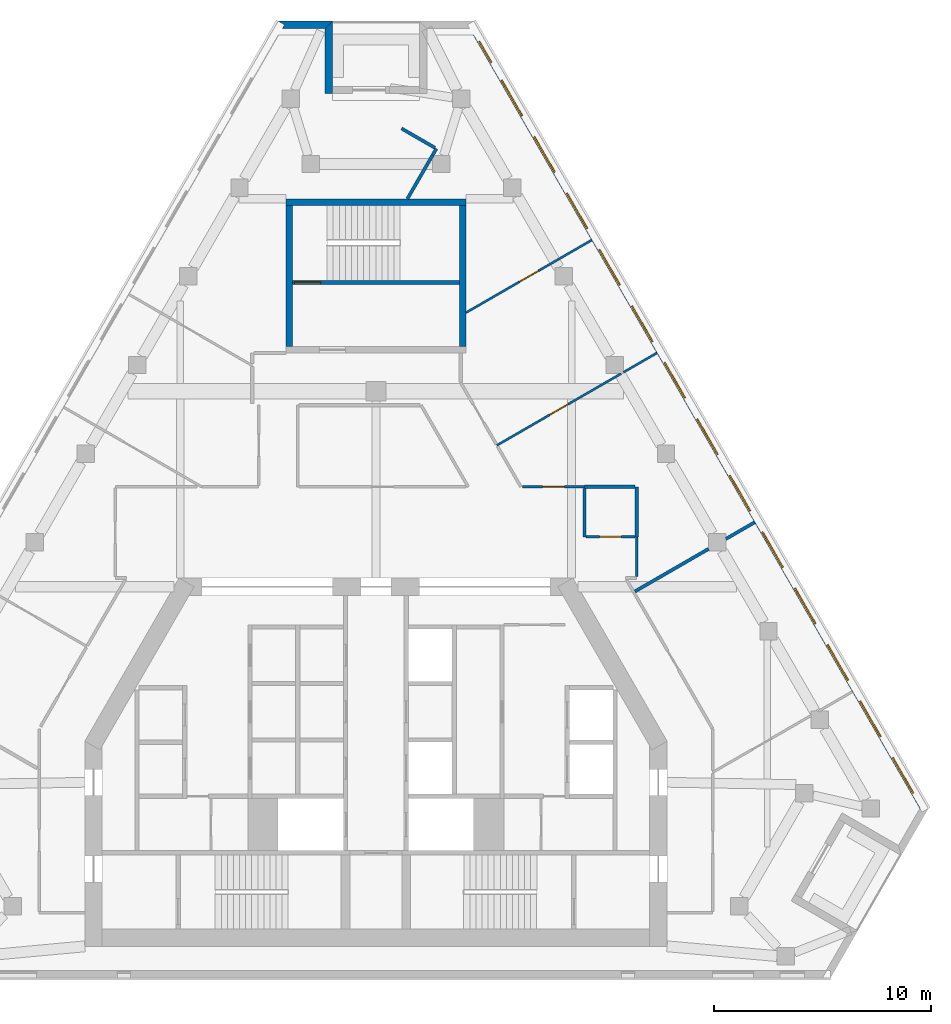
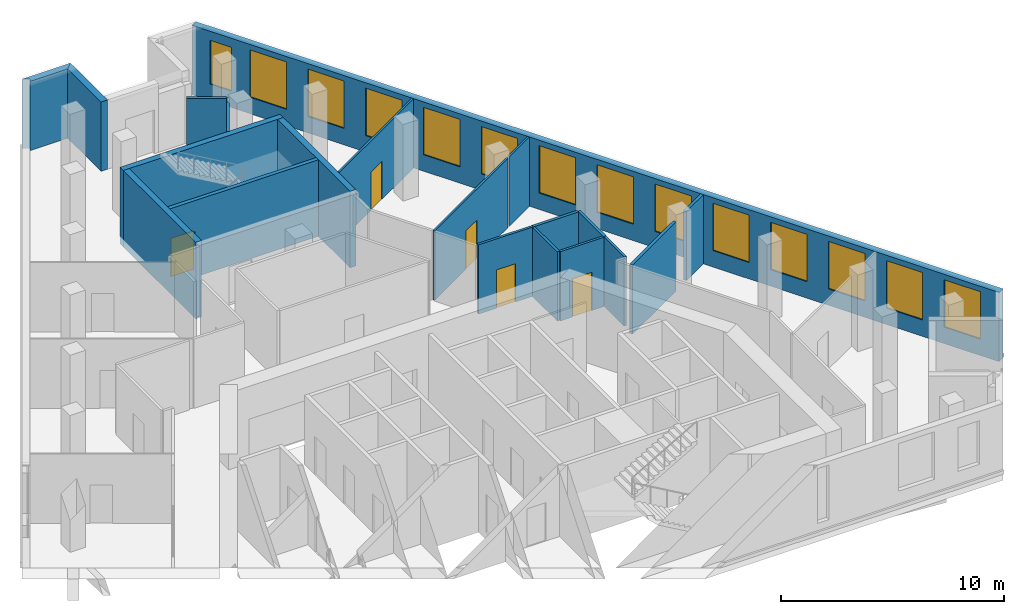
# One storey, part 6 of 9: 21 walls, 14 windows, 5 doors, 19 openings.
"""IFC4 building model written with IfcOpenShell, lengths in metres."""

from ifc_helpers import new_model, si_unit, direction, frame, frame_2d, origin, place, context, subcontext, project, spatial, polyline, rectangle, outline, extrude, material, layer, layer_set, type_object, element, fill, save


model = new_model("IFC4")

# Units and contexts
model_context = context("Model", 3, precision=1e-05, world=origin(), true_north=direction((0.0, 1.0)))
body_context = subcontext(model_context, "Body", "Model", "MODEL_VIEW")
ifc_project = project(units=[si_unit("LENGTHUNIT", "METRE"), si_unit("AREAUNIT", "SQUARE_METRE"), si_unit("VOLUMEUNIT", "CUBIC_METRE"), si_unit("PLANEANGLEUNIT", "RADIAN"), si_unit("MASSUNIT", "GRAM", prefix="KILO")], contexts=[model_context])

# Site, building, storey
site_placement = place(None, origin())
site = spatial("IfcSite", under=ifc_project, at=site_placement, CompositionType="ELEMENT")
building_placement = place(site_placement, origin())
building = spatial("IfcBuilding", under=site, at=building_placement, Name="Fogline Exchange Tower", CompositionType="ELEMENT")
storey_placement = place(building_placement, frame((0.0, 0.0, 287.699951171875)))
storey = spatial("IfcBuildingStorey", under=building, at=storey_placement, Name="L65", CompositionType="ELEMENT", Elevation=287.699951171875)

# Wall, opening, door
ifc_material_1 = material(Name="Concrete C40", Category="concrete")
ifc_layer_1 = layer(ifc_material_1, 0.199951171875)
ifc_layer_set_1 = layer_set([ifc_layer_1], Name="CW20R")
wall_type_1 = type_object("IfcWallType", Name="CW20R", PredefinedType="SOLIDWALL", material=ifc_layer_set_1)
wall_1_placement = place(storey_placement, frame((-3.85009765625, 32.007080078125, -0.39990234375), z_axis=(0.0, 0.0, 1.0), x_axis=(1.0, 0.0, 0.0)))
wall_1 = element("IfcWall", 1, at=wall_1_placement, inside=storey, type_object=wall_type_1, Name="Stair enclosure wall ST3", PredefinedType="SOLIDWALL", context=body_context, shape_type="SweptSolid", body=[
    extrude(rectangle(XDim=7.7001953125, YDim=0.199951171875, at=frame_2d((3.85009765625, 0.0))), origin(), (0.0, 0.0, 1.0), 4.199951171875),
])
opening_1_placement = place(wall_1_placement, frame((0.10009765625, 0.0, 0.39990234375)))
opening_1 = element("IfcOpeningElement", 2, at=opening_1_placement, cuts=wall_1, Name="Opening T20-C027", PredefinedType="OPENING", context=body_context, shape_type="SweptSolid", body=[
    extrude(rectangle(XDim=1.199951171875, YDim=2.10009765625, at=frame_2d((0.60009765625, 1.050048828125))), frame((0.0, 0.10986328125, 0.0), z_axis=(0.0, -1.0, 0.0), x_axis=(1.0, 0.0, 0.0)), (0.0, 0.0, 1.0), 0.219970703125),
])
ifc_material_2 = material(Name="Steel and timber fire door", Category="steel")
door_type_1 = type_object("IfcDoorType", Name="D-ST1", OperationType="SINGLE_SWING_LEFT", PredefinedType="DOOR", material=ifc_material_2)
door_1_placement = place(opening_1_placement, origin())
door_1 = element("IfcDoor", 3, at=door_1_placement, inside=storey, type_object=door_type_1, Name="Stair door ST3", OperationType="SINGLE_SWING_LEFT", OverallHeight=2.10009765625, OverallWidth=1.199951171875, PredefinedType="DOOR", context=body_context, shape_type="SweptSolid", body=[
    extrude(rectangle(XDim=1.199951171875, YDim=2.10009765625, at=frame_2d((0.60009765625, 1.050048828125))), frame((0.0, 0.02490234375, 0.0), z_axis=(0.0, -1.0, 0.0), x_axis=(1.0, 0.0, 0.0)), (0.0, 0.0, 1.0), 0.050048828125),
])
fill(opening_1, door_1)

# Walls
ifc_layer_2 = layer(ifc_material_1, 0.300048828125)
ifc_layer_set_2 = layer_set([ifc_layer_2], Name="CW30")
wall_type_2 = type_object("IfcWallType", Name="CW30", PredefinedType="SOLIDWALL", material=ifc_layer_set_2)
wall_2_placement = place(storey_placement, frame((-4.14990234375, 35.70703125, -0.39990234375), z_axis=(0.0, 0.0, 1.0), x_axis=(1.0, 0.0, 0.0)))
element("IfcWall", 4, at=wall_2_placement, inside=storey, type_object=wall_type_2, Name="Stair enclosure wall ST3", PredefinedType="SOLIDWALL", context=body_context, shape_type="SweptSolid", body=[
    extrude(rectangle(XDim=8.2998046875, YDim=0.300048828125, at=frame_2d((4.14990234375, 0.0))), origin(), (0.0, 0.0, 1.0), 4.199951171875),
])
for number, where, z_axis, x_axis, name in (
    (5, (-4.0, 29.056884765625, -0.39990234375), (0.0, 0.0, 1.0), (0.0, 1.0, 0.0), "Stair enclosure wall ST3"),
    (6, (4.0, 29.056884765625, -0.39990234375), (0.0, 0.0, 1.0), (0.0, 1.0, 0.0), "Stair enclosure wall ST3"),
):
    element("IfcWall", number, at=place(storey_placement, frame(where, z_axis=z_axis, x_axis=x_axis)), inside=storey, type_object=wall_type_2, Name=name, PredefinedType="SOLIDWALL", context=body_context, shape_type="SweptSolid", body=[
        extrude(rectangle(XDim=6.5, YDim=0.300048828125, at=frame_2d((3.25, 0.0))), origin(), (0.0, 0.0, 1.0), 4.199951171875),
    ])

# Wall, openings, windows
ifc_material_3 = material(Name="Brick masonry", Category="masonry")
ifc_layer_3 = layer(ifc_material_3, 0.340087890625)
ifc_layer_set_3 = layer_set([ifc_layer_3], Name="FW1")
wall_type_3 = type_object("IfcWallType", Name="FW1", PredefinedType="SOLIDWALL", material=ifc_layer_set_3)
wall_3_placement = place(storey_placement, frame((25.27734375, 7.709228515625, 0.0), z_axis=(0.0, 0.0, 1.0), x_axis=(-0.499999693239, 0.866025580893, 0.0)))
wall_3 = element("IfcWall", 7, at=wall_3_placement, inside=storey, type_object=wall_type_3, Name="Brick wall L65 E", PredefinedType="SOLIDWALL", context=body_context, shape_type="SweptSolid", body=[
    extrude(rectangle(XDim=41.84912109375, YDim=0.340087890625, at=frame_2d((20.924560546875, 0.0))), origin(), (0.0, 0.0, 1.0), 3.800048828125),
])
opening_2_placement = place(wall_3_placement, frame((0.96240234375, 0.0, 0.89990234375)))
opening_2 = element("IfcOpeningElement", 8, at=opening_2_placement, cuts=wall_3, Name="Opening W3", PredefinedType="OPENING", context=body_context, shape_type="SweptSolid", body=[
    extrude(rectangle(XDim=1.885009765625, YDim=2.60009765625, at=frame_2d((0.9423828125, 1.300048828125))), frame((0.0, 0.18017578125, 0.0), z_axis=(0.0, -1.0, 0.0), x_axis=(1.0, 0.0, 0.0)), (0.0, 0.0, 1.0), 0.360107421875),
])
opening_3_placement = place(wall_3_placement, frame((3.96240234375, 0.0, 0.89990234375)))
opening_3 = element("IfcOpeningElement", 9, at=opening_3_placement, cuts=wall_3, Name="Opening W3", PredefinedType="OPENING", context=body_context, shape_type="SweptSolid", body=[
    extrude(rectangle(XDim=1.885009765625, YDim=2.60009765625, at=frame_2d((0.9423828125, 1.300048828125))), frame((0.0, 0.18017578125, 0.0), z_axis=(0.0, -1.0, 0.0), x_axis=(1.0, 0.0, 0.0)), (0.0, 0.0, 1.0), 0.360107421875),
])
opening_4_placement = place(wall_3_placement, frame((6.96240234375, 0.0, 0.89990234375)))
opening_4 = element("IfcOpeningElement", 10, at=opening_4_placement, cuts=wall_3, Name="Opening W3", PredefinedType="OPENING", context=body_context, shape_type="SweptSolid", body=[
    extrude(rectangle(XDim=1.885009765625, YDim=2.60009765625, at=frame_2d((0.9423828125, 1.300048828125))), frame((0.0, 0.18017578125, 0.0), z_axis=(0.0, -1.0, 0.0), x_axis=(1.0, 0.0, 0.0)), (0.0, 0.0, 1.0), 0.360107421875),
])
opening_5_placement = place(wall_3_placement, frame((9.96240234375, 0.0, 0.89990234375)))
opening_5 = element("IfcOpeningElement", 11, at=opening_5_placement, cuts=wall_3, Name="Opening W3", PredefinedType="OPENING", context=body_context, shape_type="SweptSolid", body=[
    extrude(rectangle(XDim=1.885009765625, YDim=2.60009765625, at=frame_2d((0.9423828125, 1.300048828125))), frame((0.0, 0.18017578125, 0.0), z_axis=(0.0, -1.0, 0.0), x_axis=(1.0, 0.0, 0.0)), (0.0, 0.0, 1.0), 0.360107421875),
])
opening_6_placement = place(wall_3_placement, frame((12.96240234375, 0.0, 0.89990234375)))
opening_6 = element("IfcOpeningElement", 12, at=opening_6_placement, cuts=wall_3, Name="Opening W3", PredefinedType="OPENING", context=body_context, shape_type="SweptSolid", body=[
    extrude(rectangle(XDim=1.885009765625, YDim=2.60009765625, at=frame_2d((0.9423828125, 1.300048828125))), frame((0.0, 0.18017578125, 0.0), z_axis=(0.0, -1.0, 0.0), x_axis=(1.0, 0.0, 0.0)), (0.0, 0.0, 1.0), 0.360107421875),
])
opening_7_placement = place(wall_3_placement, frame((15.96240234375, 0.0, 0.89990234375)))
opening_7 = element("IfcOpeningElement", 13, at=opening_7_placement, cuts=wall_3, Name="Opening W3", PredefinedType="OPENING", context=body_context, shape_type="SweptSolid", body=[
    extrude(rectangle(XDim=1.885009765625, YDim=2.60009765625, at=frame_2d((0.9423828125, 1.300048828125))), frame((0.0, 0.18017578125, 0.0), z_axis=(0.0, -1.0, 0.0), x_axis=(1.0, 0.0, 0.0)), (0.0, 0.0, 1.0), 0.360107421875),
])
opening_8_placement = place(wall_3_placement, frame((18.96240234375, 0.0, 0.89990234375)))
opening_8 = element("IfcOpeningElement", 14, at=opening_8_placement, cuts=wall_3, Name="Opening W3", PredefinedType="OPENING", context=body_context, shape_type="SweptSolid", body=[
    extrude(rectangle(XDim=1.885009765625, YDim=2.60009765625, at=frame_2d((0.9423828125, 1.300048828125))), frame((0.0, 0.18017578125, 0.0), z_axis=(0.0, -1.0, 0.0), x_axis=(1.0, 0.0, 0.0)), (0.0, 0.0, 1.0), 0.360107421875),
])
opening_9_placement = place(wall_3_placement, frame((21.96240234375, 0.0, 0.89990234375)))
opening_9 = element("IfcOpeningElement", 15, at=opening_9_placement, cuts=wall_3, Name="Opening W3", PredefinedType="OPENING", context=body_context, shape_type="SweptSolid", body=[
    extrude(rectangle(XDim=1.885009765625, YDim=2.60009765625, at=frame_2d((0.9423828125, 1.300048828125))), frame((0.0, 0.18017578125, 0.0), z_axis=(0.0, -1.0, 0.0), x_axis=(1.0, 0.0, 0.0)), (0.0, 0.0, 1.0), 0.360107421875),
])
opening_10_placement = place(wall_3_placement, frame((24.96240234375, 0.0, 0.89990234375)))
opening_10 = element("IfcOpeningElement", 16, at=opening_10_placement, cuts=wall_3, Name="Opening W3", PredefinedType="OPENING", context=body_context, shape_type="SweptSolid", body=[
    extrude(rectangle(XDim=1.885009765625, YDim=2.60009765625, at=frame_2d((0.9423828125, 1.300048828125))), frame((0.0, 0.18017578125, 0.0), z_axis=(0.0, -1.0, 0.0), x_axis=(1.0, 0.0, 0.0)), (0.0, 0.0, 1.0), 0.360107421875),
])
opening_11_placement = place(wall_3_placement, frame((27.96240234375, 0.0, 0.89990234375)))
opening_11 = element("IfcOpeningElement", 17, at=opening_11_placement, cuts=wall_3, Name="Opening W3", PredefinedType="OPENING", context=body_context, shape_type="SweptSolid", body=[
    extrude(rectangle(XDim=1.885009765625, YDim=2.60009765625, at=frame_2d((0.9423828125, 1.300048828125))), frame((0.0, 0.18017578125, 0.0), z_axis=(0.0, -1.0, 0.0), x_axis=(1.0, 0.0, 0.0)), (0.0, 0.0, 1.0), 0.360107421875),
])
opening_12_placement = place(wall_3_placement, frame((30.96240234375, 0.0, 0.89990234375)))
opening_12 = element("IfcOpeningElement", 18, at=opening_12_placement, cuts=wall_3, Name="Opening W3", PredefinedType="OPENING", context=body_context, shape_type="SweptSolid", body=[
    extrude(rectangle(XDim=1.885009765625, YDim=2.60009765625, at=frame_2d((0.9423828125, 1.300048828125))), frame((0.0, 0.18017578125, 0.0), z_axis=(0.0, -1.0, 0.0), x_axis=(1.0, 0.0, 0.0)), (0.0, 0.0, 1.0), 0.360107421875),
])
opening_13_placement = place(wall_3_placement, frame((33.96240234375, 0.0, 0.89990234375)))
opening_13 = element("IfcOpeningElement", 19, at=opening_13_placement, cuts=wall_3, Name="Opening W3", PredefinedType="OPENING", context=body_context, shape_type="SweptSolid", body=[
    extrude(rectangle(XDim=1.885009765625, YDim=2.60009765625, at=frame_2d((0.9423828125, 1.300048828125))), frame((0.0, 0.18017578125, 0.0), z_axis=(0.0, -1.0, 0.0), x_axis=(1.0, 0.0, 0.0)), (0.0, 0.0, 1.0), 0.360107421875),
])
opening_14_placement = place(wall_3_placement, frame((36.96240234375, 0.0, 0.89990234375)))
opening_14 = element("IfcOpeningElement", 20, at=opening_14_placement, cuts=wall_3, Name="Opening W3", PredefinedType="OPENING", context=body_context, shape_type="SweptSolid", body=[
    extrude(rectangle(XDim=1.885009765625, YDim=2.60009765625, at=frame_2d((0.9423828125, 1.300048828125))), frame((0.0, 0.18017578125, 0.0), z_axis=(0.0, -1.0, 0.0), x_axis=(1.0, 0.0, 0.0)), (0.0, 0.0, 1.0), 0.360107421875),
])
opening_15_placement = place(wall_3_placement, frame((39.790771484375, 0.0, 0.89990234375)))
opening_15 = element("IfcOpeningElement", 21, at=opening_15_placement, cuts=wall_3, Name="Opening W4", PredefinedType="OPENING", context=body_context, shape_type="SweptSolid", body=[
    extrude(rectangle(XDim=1.114990234375, YDim=2.39990234375, at=frame_2d((0.5576171875, 1.199951171875))), frame((0.0, 0.18017578125, 0.0), z_axis=(0.0, -1.0, 0.0), x_axis=(1.0, 0.0, 0.0)), (0.0, 0.0, 1.0), 0.360107421875),
])
ifc_material_4 = material(Name="Aluminium and glass", Category="aluminium")
window_type_1 = type_object("IfcWindowType", Name="W3", PartitioningType="SINGLE_PANEL", PredefinedType="WINDOW", material=ifc_material_4)
window_1_placement = place(opening_2_placement, origin())
window_1 = element("IfcWindow", 22, at=window_1_placement, inside=storey, type_object=window_type_1, Name="W3 W3", OverallHeight=2.60009765625, OverallWidth=1.885009765625, PartitioningType="SINGLE_PANEL", PredefinedType="WINDOW", context=body_context, shape_type="SweptSolid", body=[
    extrude(rectangle(XDim=1.885009765625, YDim=2.60009765625, at=frame_2d((0.9423828125, 1.300048828125))), frame((0.0, 0.110107421875, 0.0), z_axis=(0.0, -1.0, 0.0), x_axis=(1.0, 0.0, 0.0)), (0.0, 0.0, 1.0), 0.06005859375),
])
fill(opening_2, window_1)
window_2_placement = place(opening_3_placement, origin())
window_2 = element("IfcWindow", 23, at=window_2_placement, inside=storey, type_object=window_type_1, Name="W3 W3", OverallHeight=2.60009765625, OverallWidth=1.885009765625, PartitioningType="SINGLE_PANEL", PredefinedType="WINDOW", context=body_context, shape_type="SweptSolid", body=[
    extrude(rectangle(XDim=1.885009765625, YDim=2.60009765625, at=frame_2d((0.9423828125, 1.300048828125))), frame((0.0, 0.110107421875, 0.0), z_axis=(0.0, -1.0, 0.0), x_axis=(1.0, 0.0, 0.0)), (0.0, 0.0, 1.0), 0.06005859375),
])
fill(opening_3, window_2)
window_3_placement = place(opening_4_placement, origin())
window_3 = element("IfcWindow", 24, at=window_3_placement, inside=storey, type_object=window_type_1, Name="W3 W3", OverallHeight=2.60009765625, OverallWidth=1.885009765625, PartitioningType="SINGLE_PANEL", PredefinedType="WINDOW", context=body_context, shape_type="SweptSolid", body=[
    extrude(rectangle(XDim=1.885009765625, YDim=2.60009765625, at=frame_2d((0.9423828125, 1.300048828125))), frame((0.0, 0.110107421875, 0.0), z_axis=(0.0, -1.0, 0.0), x_axis=(1.0, 0.0, 0.0)), (0.0, 0.0, 1.0), 0.06005859375),
])
fill(opening_4, window_3)
window_4_placement = place(opening_5_placement, origin())
window_4 = element("IfcWindow", 25, at=window_4_placement, inside=storey, type_object=window_type_1, Name="W3 W3", OverallHeight=2.60009765625, OverallWidth=1.885009765625, PartitioningType="SINGLE_PANEL", PredefinedType="WINDOW", context=body_context, shape_type="SweptSolid", body=[
    extrude(rectangle(XDim=1.885009765625, YDim=2.60009765625, at=frame_2d((0.9423828125, 1.300048828125))), frame((0.0, 0.110107421875, 0.0), z_axis=(0.0, -1.0, 0.0), x_axis=(1.0, 0.0, 0.0)), (0.0, 0.0, 1.0), 0.06005859375),
])
fill(opening_5, window_4)
window_5_placement = place(opening_6_placement, origin())
window_5 = element("IfcWindow", 26, at=window_5_placement, inside=storey, type_object=window_type_1, Name="W3 W3", OverallHeight=2.60009765625, OverallWidth=1.885009765625, PartitioningType="SINGLE_PANEL", PredefinedType="WINDOW", context=body_context, shape_type="SweptSolid", body=[
    extrude(rectangle(XDim=1.885009765625, YDim=2.60009765625, at=frame_2d((0.9423828125, 1.300048828125))), frame((0.0, 0.110107421875, 0.0), z_axis=(0.0, -1.0, 0.0), x_axis=(1.0, 0.0, 0.0)), (0.0, 0.0, 1.0), 0.06005859375),
])
fill(opening_6, window_5)
window_6_placement = place(opening_7_placement, origin())
window_6 = element("IfcWindow", 27, at=window_6_placement, inside=storey, type_object=window_type_1, Name="W3 W3", OverallHeight=2.60009765625, OverallWidth=1.885009765625, PartitioningType="SINGLE_PANEL", PredefinedType="WINDOW", context=body_context, shape_type="SweptSolid", body=[
    extrude(rectangle(XDim=1.885009765625, YDim=2.60009765625, at=frame_2d((0.9423828125, 1.300048828125))), frame((0.0, 0.110107421875, 0.0), z_axis=(0.0, -1.0, 0.0), x_axis=(1.0, 0.0, 0.0)), (0.0, 0.0, 1.0), 0.06005859375),
])
fill(opening_7, window_6)
window_7_placement = place(opening_8_placement, origin())
window_7 = element("IfcWindow", 28, at=window_7_placement, inside=storey, type_object=window_type_1, Name="W3 W3", OverallHeight=2.60009765625, OverallWidth=1.885009765625, PartitioningType="SINGLE_PANEL", PredefinedType="WINDOW", context=body_context, shape_type="SweptSolid", body=[
    extrude(rectangle(XDim=1.885009765625, YDim=2.60009765625, at=frame_2d((0.9423828125, 1.300048828125))), frame((0.0, 0.110107421875, 0.0), z_axis=(0.0, -1.0, 0.0), x_axis=(1.0, 0.0, 0.0)), (0.0, 0.0, 1.0), 0.06005859375),
])
fill(opening_8, window_7)
window_8_placement = place(opening_9_placement, origin())
window_8 = element("IfcWindow", 29, at=window_8_placement, inside=storey, type_object=window_type_1, Name="W3 W3", OverallHeight=2.60009765625, OverallWidth=1.885009765625, PartitioningType="SINGLE_PANEL", PredefinedType="WINDOW", context=body_context, shape_type="SweptSolid", body=[
    extrude(rectangle(XDim=1.885009765625, YDim=2.60009765625, at=frame_2d((0.9423828125, 1.300048828125))), frame((0.0, 0.110107421875, 0.0), z_axis=(0.0, -1.0, 0.0), x_axis=(1.0, 0.0, 0.0)), (0.0, 0.0, 1.0), 0.06005859375),
])
fill(opening_9, window_8)
window_9_placement = place(opening_10_placement, origin())
window_9 = element("IfcWindow", 30, at=window_9_placement, inside=storey, type_object=window_type_1, Name="W3 W3", OverallHeight=2.60009765625, OverallWidth=1.885009765625, PartitioningType="SINGLE_PANEL", PredefinedType="WINDOW", context=body_context, shape_type="SweptSolid", body=[
    extrude(rectangle(XDim=1.885009765625, YDim=2.60009765625, at=frame_2d((0.9423828125, 1.300048828125))), frame((0.0, 0.110107421875, 0.0), z_axis=(0.0, -1.0, 0.0), x_axis=(1.0, 0.0, 0.0)), (0.0, 0.0, 1.0), 0.06005859375),
])
fill(opening_10, window_9)
window_10_placement = place(opening_11_placement, origin())
window_10 = element("IfcWindow", 31, at=window_10_placement, inside=storey, type_object=window_type_1, Name="W3 W3", OverallHeight=2.60009765625, OverallWidth=1.885009765625, PartitioningType="SINGLE_PANEL", PredefinedType="WINDOW", context=body_context, shape_type="SweptSolid", body=[
    extrude(rectangle(XDim=1.885009765625, YDim=2.60009765625, at=frame_2d((0.9423828125, 1.300048828125))), frame((0.0, 0.110107421875, 0.0), z_axis=(0.0, -1.0, 0.0), x_axis=(1.0, 0.0, 0.0)), (0.0, 0.0, 1.0), 0.06005859375),
])
fill(opening_11, window_10)
window_11_placement = place(opening_12_placement, origin())
window_11 = element("IfcWindow", 32, at=window_11_placement, inside=storey, type_object=window_type_1, Name="W3 W3", OverallHeight=2.60009765625, OverallWidth=1.885009765625, PartitioningType="SINGLE_PANEL", PredefinedType="WINDOW", context=body_context, shape_type="SweptSolid", body=[
    extrude(rectangle(XDim=1.885009765625, YDim=2.60009765625, at=frame_2d((0.9423828125, 1.300048828125))), frame((0.0, 0.110107421875, 0.0), z_axis=(0.0, -1.0, 0.0), x_axis=(1.0, 0.0, 0.0)), (0.0, 0.0, 1.0), 0.06005859375),
])
fill(opening_12, window_11)
window_12_placement = place(opening_13_placement, origin())
window_12 = element("IfcWindow", 33, at=window_12_placement, inside=storey, type_object=window_type_1, Name="W3 W3", OverallHeight=2.60009765625, OverallWidth=1.885009765625, PartitioningType="SINGLE_PANEL", PredefinedType="WINDOW", context=body_context, shape_type="SweptSolid", body=[
    extrude(rectangle(XDim=1.885009765625, YDim=2.60009765625, at=frame_2d((0.9423828125, 1.300048828125))), frame((0.0, 0.110107421875, 0.0), z_axis=(0.0, -1.0, 0.0), x_axis=(1.0, 0.0, 0.0)), (0.0, 0.0, 1.0), 0.06005859375),
])
fill(opening_13, window_12)
window_13_placement = place(opening_14_placement, origin())
window_13 = element("IfcWindow", 34, at=window_13_placement, inside=storey, type_object=window_type_1, Name="W3 W3", OverallHeight=2.60009765625, OverallWidth=1.885009765625, PartitioningType="SINGLE_PANEL", PredefinedType="WINDOW", context=body_context, shape_type="SweptSolid", body=[
    extrude(rectangle(XDim=1.885009765625, YDim=2.60009765625, at=frame_2d((0.9423828125, 1.300048828125))), frame((0.0, 0.110107421875, 0.0), z_axis=(0.0, -1.0, 0.0), x_axis=(1.0, 0.0, 0.0)), (0.0, 0.0, 1.0), 0.06005859375),
])
fill(opening_14, window_13)
window_type_2 = type_object("IfcWindowType", Name="W4", PartitioningType="SINGLE_PANEL", PredefinedType="WINDOW", material=ifc_material_4)
window_14_placement = place(opening_15_placement, origin())
window_14 = element("IfcWindow", 35, at=window_14_placement, inside=storey, type_object=window_type_2, Name="W4 W4", OverallHeight=2.39990234375, OverallWidth=1.114990234375, PartitioningType="SINGLE_PANEL", PredefinedType="WINDOW", context=body_context, shape_type="SweptSolid", body=[
    extrude(rectangle(XDim=1.114990234375, YDim=2.39990234375, at=frame_2d((0.5576171875, 1.199951171875))), frame((0.0, 0.110107421875, 0.0), z_axis=(0.0, -1.0, 0.0), x_axis=(1.0, 0.0, 0.0)), (0.0, 0.0, 1.0), 0.06005859375),
])
fill(opening_15, window_14)

# Walls
wall_4_placement = place(storey_placement, origin())
element("IfcWall", 36, at=wall_4_placement, inside=storey, type_object=wall_type_3, Name="Brick wall L65 N-s2", PredefinedType="SOLIDWALL", context=body_context, shape_type="SweptSolid", body=[
    extrude(outline(polyline([(-1.99951171875, 44.03759765625), (-1.99951171875, 40.696044921875), (-2.340576171875, 40.696044921875), (-2.340576171875, 43.697021484375), (-1.999755859375, 44.037841796875), (-1.99951171875, 44.03759765625)])), origin(), (0.0, 0.0, 1.0), 3.800048828125),
])
wall_5_placement = place(storey_placement, origin())
element("IfcWall", 37, at=wall_5_placement, inside=storey, type_object=wall_type_3, Name="Brick wall L65 N-c2", PredefinedType="SOLIDWALL", context=body_context, shape_type="SweptSolid", body=[
    extrude(outline(polyline([(-4.3046875, 43.696044921875), (-4.206298828125, 43.866455078125), (-4.501220703125, 44.03662109375), (-4.5009765625, 44.037353515625), (-1.9990234375, 44.037353515625), (-1.998779296875, 44.036865234375), (-2.33984375, 43.696044921875), (-4.3046875, 43.696044921875)])), origin(), (0.0, 0.0, 1.0), 3.800048828125),
])

# Wall, opening, door
ifc_material_5 = material(Name="Plasterboard partition, 2 layers each side on steel studs", Category="steel")
ifc_layer_4 = layer(ifc_material_5, 0.10009765625)
ifc_layer_set_4 = layer_set([ifc_layer_4], Name="PW1")
wall_type_4 = type_object("IfcWallType", Name="PW1", PredefinedType="PARTITIONING", material=ifc_layer_set_4)
wall_6_placement = place(storey_placement, frame((5.56640625, 24.509521484375, 0.0), z_axis=(0.0, 0.0, 1.0), x_axis=(0.866046324637, 0.49996376227, 0.0)))
wall_6 = element("IfcWall", 38, at=wall_6_placement, inside=storey, type_object=wall_type_4, Name="wall-L65-W033", PredefinedType="PARTITIONING", context=body_context, shape_type="SweptSolid", body=[
    extrude(rectangle(XDim=6.59765625, YDim=0.10009765625, at=frame_2d((3.298828125, 0.0))), origin(), (0.0, 0.0, 1.0), 3.800048828125),
])
opening_16_placement = place(wall_6_placement, frame((2.798828125, 0.0, 0.0)))
opening_16 = element("IfcOpeningElement", 39, at=opening_16_placement, cuts=wall_6, Name="Opening T20-D011", PredefinedType="OPENING", context=body_context, shape_type="SweptSolid", body=[
    extrude(rectangle(XDim=1.0, YDim=2.10009765625, at=frame_2d((0.5, 1.050048828125))), frame((0.0, 0.06005859375, 0.0), z_axis=(0.0, -1.0, 0.0), x_axis=(1.0, 0.0, 0.0)), (0.0, 0.0, 1.0), 0.1201171875),
])
ifc_material_6 = material(Name="Timber door leaf with steel frame", Category="steel")
door_type_2 = type_object("IfcDoorType", Name="D1", OperationType="SINGLE_SWING_LEFT", PredefinedType="DOOR", material=ifc_material_6)
door_2_placement = place(opening_16_placement, origin())
door_2 = element("IfcDoor", 40, at=door_2_placement, inside=storey, type_object=door_type_2, Name="door-L65-D011", OperationType="SINGLE_SWING_LEFT", OverallHeight=2.10009765625, OverallWidth=1.0, PredefinedType="DOOR", context=body_context, shape_type="SweptSolid", body=[
    extrude(rectangle(XDim=1.0, YDim=2.10009765625, at=frame_2d((0.5, 1.050048828125))), frame((0.0, 0.02490234375, 0.0), z_axis=(0.0, -1.0, 0.0), x_axis=(1.0, 0.0, 0.0)), (0.0, 0.0, 1.0), 0.050048828125),
])
fill(opening_16, door_2)

# Wall
wall_7_placement = place(storey_placement, frame((11.394287109375, 27.8740234375, 0.0), z_axis=(0.0, 0.0, 1.0), x_axis=(0.86598582165, 0.500068552002, 0.0)))
element("IfcWall", 41, at=wall_7_placement, inside=storey, type_object=wall_type_4, Name="wall-L65-W034", PredefinedType="PARTITIONING", context=body_context, shape_type="SweptSolid", body=[
    extrude(rectangle(XDim=1.770751953125, YDim=0.10009765625, at=frame_2d((0.88525390625, 0.0))), origin(), (0.0, 0.0, 1.0), 3.800048828125),
])

# Wall, opening, door
wall_8_placement = place(storey_placement, frame((4.14990234375, 30.619873046875, 0.0), z_axis=(0.0, 0.0, 1.0), x_axis=(0.866034458985, 0.499984315605, 0.0)))
wall_8 = element("IfcWall", 42, at=wall_8_placement, inside=storey, type_object=wall_type_4, Name="wall-L65-W037", PredefinedType="PARTITIONING", context=body_context, shape_type="SweptSolid", body=[
    extrude(rectangle(XDim=6.671630859375, YDim=0.10009765625, at=frame_2d((3.3359375, 0.0))), origin(), (0.0, 0.0, 1.0), 3.800048828125),
])
opening_17_placement = place(wall_8_placement, frame((2.835693359375, 0.0, 0.0)))
opening_17 = element("IfcOpeningElement", 43, at=opening_17_placement, cuts=wall_8, Name="Opening T20-D012", PredefinedType="OPENING", context=body_context, shape_type="SweptSolid", body=[
    extrude(rectangle(XDim=1.0, YDim=2.10009765625, at=frame_2d((0.5, 1.050048828125))), frame((0.0, 0.06005859375, 0.0), z_axis=(0.0, -1.0, 0.0), x_axis=(1.0, 0.0, 0.0)), (0.0, 0.0, 1.0), 0.1201171875),
])
door_3_placement = place(opening_17_placement, frame((1.0, 0.0, 0.0), z_axis=(0.0, 0.0, 1.0), x_axis=(-1.0, 0.0, 0.0)))
door_3 = element("IfcDoor", 44, at=door_3_placement, inside=storey, type_object=door_type_2, Name="door-L65-D012", OperationType="SINGLE_SWING_RIGHT", OverallHeight=2.10009765625, OverallWidth=1.0, PredefinedType="DOOR", context=body_context, shape_type="SweptSolid", body=[
    extrude(rectangle(XDim=1.0, YDim=2.10009765625, at=frame_2d((0.5, 1.050048828125))), frame((0.0, 0.02490234375, 0.0), z_axis=(0.0, -1.0, 0.0), x_axis=(1.0, 0.0, 0.0)), (0.0, 0.0, 1.0), 0.050048828125),
])
fill(opening_17, door_3)

# Wall
ifc_material_7 = material(Name="Plasterboard corridor partition with mineral wool, 2 layers each side")
ifc_layer_5 = layer(ifc_material_7, 0.125)
ifc_layer_set_5 = layer_set([ifc_layer_5], Name="PW2")
wall_type_5 = type_object("IfcWallType", Name="PW2", PredefinedType="PARTITIONING", material=ifc_layer_set_5)
wall_9_placement = place(storey_placement, frame((9.60009765625, 22.5244140625, 0.0), z_axis=(0.0, 0.0, 1.0), x_axis=(0.0, -1.0, 0.0)))
element("IfcWall", 45, at=wall_9_placement, inside=storey, type_object=wall_type_5, Name="wall-L65-W006", PredefinedType="PARTITIONING", context=body_context, shape_type="SweptSolid", body=[
    extrude(rectangle(XDim=2.224365234375, YDim=0.125, at=frame_2d((1.1123046875, 0.0))), origin(), (0.0, 0.0, 1.0), 3.800048828125),
])

# Wall, opening, door
wall_10_placement = place(storey_placement, frame((9.66259765625, 20.300048828125, 0.0), z_axis=(0.0, 0.0, 1.0), x_axis=(1.0, 0.0, 0.0)))
wall_10 = element("IfcWall", 46, at=wall_10_placement, inside=storey, type_object=wall_type_5, Name="wall-L65-W007", PredefinedType="PARTITIONING", context=body_context, shape_type="SweptSolid", body=[
    extrude(rectangle(XDim=2.262451171875, YDim=0.125, at=frame_2d((1.13134765625, 0.0))), origin(), (0.0, 0.0, 1.0), 3.800048828125),
])
opening_18_placement = place(wall_10_placement, frame((0.63134765625, 0.0, 0.0)))
opening_18 = element("IfcOpeningElement", 47, at=opening_18_placement, cuts=wall_10, Name="Opening T20-D003", PredefinedType="OPENING", context=body_context, shape_type="SweptSolid", body=[
    extrude(rectangle(XDim=1.0, YDim=2.10009765625, at=frame_2d((0.5, 1.050048828125))), frame((0.0, 0.072509765625, 0.0), z_axis=(0.0, -1.0, 0.0), x_axis=(1.0, 0.0, 0.0)), (0.0, 0.0, 1.0), 0.14501953125),
])
ifc_material_8 = material(Name="Fire-rated timber door leaf with steel frame", Category="steel")
door_type_3 = type_object("IfcDoorType", Name="D3", OperationType="SINGLE_SWING_LEFT", PredefinedType="DOOR", material=ifc_material_8)
door_4_placement = place(opening_18_placement, origin())
door_4 = element("IfcDoor", 48, at=door_4_placement, inside=storey, type_object=door_type_3, Name="door-L65-D003", OperationType="SINGLE_SWING_LEFT", OverallHeight=2.10009765625, OverallWidth=1.0, PredefinedType="DOOR", context=body_context, shape_type="SweptSolid", body=[
    extrude(rectangle(XDim=1.0, YDim=2.10009765625, at=frame_2d((0.5, 1.050048828125))), frame((0.0, 0.02490234375, 0.0), z_axis=(0.0, -1.0, 0.0), x_axis=(1.0, 0.0, 0.0)), (0.0, 0.0, 1.0), 0.050048828125),
])
fill(opening_18, door_4)

wall_11_placement = place(storey_placement, frame((6.7412109375, 22.60009765625, 0.0), z_axis=(0.0, 0.0, 1.0), x_axis=(1.0, 0.0, 0.0)))
wall_11 = element("IfcWall", 49, at=wall_11_placement, inside=storey, type_object=wall_type_5, Name="wall-L65-W008", PredefinedType="PARTITIONING", context=body_context, shape_type="SweptSolid", body=[
    extrude(rectangle(XDim=2.85888671875, YDim=0.125, at=frame_2d((1.429443359375, 0.0))), origin(), (0.0, 0.0, 1.0), 3.800048828125),
])
opening_19_placement = place(wall_11_placement, frame((0.929443359375, 0.0, 0.0)))
opening_19 = element("IfcOpeningElement", 50, at=opening_19_placement, cuts=wall_11, Name="Opening T20-D004", PredefinedType="OPENING", context=body_context, shape_type="SweptSolid", body=[
    extrude(rectangle(XDim=1.0, YDim=2.10009765625, at=frame_2d((0.5, 1.050048828125))), frame((0.0, 0.072509765625, 0.0), z_axis=(0.0, -1.0, 0.0), x_axis=(1.0, 0.0, 0.0)), (0.0, 0.0, 1.0), 0.14501953125),
])
door_5_placement = place(opening_19_placement, origin())
door_5 = element("IfcDoor", 51, at=door_5_placement, inside=storey, type_object=door_type_3, Name="door-L65-D004", OperationType="SINGLE_SWING_LEFT", OverallHeight=2.10009765625, OverallWidth=1.0, PredefinedType="DOOR", context=body_context, shape_type="SweptSolid", body=[
    extrude(rectangle(XDim=1.0, YDim=2.10009765625, at=frame_2d((0.5, 1.050048828125))), frame((0.0, 0.02490234375, 0.0), z_axis=(0.0, -1.0, 0.0), x_axis=(1.0, 0.0, 0.0)), (0.0, 0.0, 1.0), 0.050048828125),
])
fill(opening_19, door_5)

# Walls
wall_12_placement = place(storey_placement, frame((12.0, 20.300048828125, 0.0), z_axis=(0.0, 0.0, 1.0), x_axis=(0.0, -1.0, 0.0)))
element("IfcWall", 52, at=wall_12_placement, inside=storey, type_object=wall_type_5, Name="wall-L65-W009", PredefinedType="PARTITIONING", context=body_context, shape_type="SweptSolid", body=[
    extrude(rectangle(XDim=1.837646484375, YDim=0.125, at=frame_2d((0.9189453125, 0.0))), origin(), (0.0, 0.0, 1.0), 3.800048828125),
])
ifc_material_9 = material(Name="Plasterboard demising partition with mineral wool and acoustic board")
ifc_layer_6 = layer(ifc_material_9, 0.14990234375)
ifc_layer_set_6 = layer_set([ifc_layer_6], Name="PW3")
wall_type_6 = type_object("IfcWallType", Name="PW3", PredefinedType="PARTITIONING", material=ifc_layer_set_6)
wall_13_placement = place(storey_placement, frame((9.60009765625, 22.60009765625, 0.0), z_axis=(0.0, 0.0, 1.0), x_axis=(1.0, 0.0, 0.0)))
element("IfcWall", 53, at=wall_13_placement, inside=storey, type_object=wall_type_6, Name="wall-L65-W031", PredefinedType="PARTITIONING", context=body_context, shape_type="SweptSolid", body=[
    extrude(rectangle(XDim=2.324951171875, YDim=0.14990234375, at=frame_2d((1.16259765625, 0.0))), origin(), (0.0, 0.0, 1.0), 3.800048828125),
])
wall_14_placement = place(storey_placement, frame((12.0, 22.60009765625, 0.0), z_axis=(0.0, 0.0, 1.0), x_axis=(0.0, -1.0, 0.0)))
element("IfcWall", 54, at=wall_14_placement, inside=storey, type_object=wall_type_6, Name="wall-L65-W032", PredefinedType="PARTITIONING", context=body_context, shape_type="SweptSolid", body=[
    extrude(rectangle(XDim=2.300048828125, YDim=0.14990234375, at=frame_2d((1.14990234375, 0.0))), origin(), (0.0, 0.0, 1.0), 3.800048828125),
])
wall_15_placement = place(storey_placement, frame((17.427734375, 20.965087890625, 0.0), z_axis=(0.0, 0.0, 1.0), x_axis=(-0.866054796986, -0.499949086026, 0.0)))
element("IfcWall", 55, at=wall_15_placement, inside=storey, type_object=wall_type_6, Name="wall-L65-W035", PredefinedType="PARTITIONING", context=body_context, shape_type="SweptSolid", body=[
    extrude(rectangle(XDim=1.523193359375, YDim=0.14990234375, at=frame_2d((0.76171875, 0.0))), origin(), (0.0, 0.0, 1.0), 3.800048828125),
])
wall_16_placement = place(storey_placement, frame((15.30859375, 19.74169921875, 0.0), z_axis=(0.0, 0.0, 1.0), x_axis=(-0.866047486323, -0.49996174997, 0.0)))
element("IfcWall", 56, at=wall_16_placement, inside=storey, type_object=wall_type_6, Name="wall-L65-W036", PredefinedType="PARTITIONING", context=body_context, shape_type="SweptSolid", body=[
    extrude(rectangle(XDim=3.915283203125, YDim=0.14990234375, at=frame_2d((1.95751953125, 0.0))), origin(), (0.0, 0.0, 1.0), 3.800048828125),
])
wall_17_placement = place(storey_placement, frame((1.447021484375, 35.85693359375, 0.0), z_axis=(0.0, 0.0, 1.0), x_axis=(0.499975978711, 0.866039272038, 0.0)))
element("IfcWall", 57, at=wall_17_placement, inside=storey, type_object=wall_type_6, Name="wall-L65-W038", PredefinedType="PARTITIONING", context=body_context, shape_type="SweptSolid", body=[
    extrude(rectangle(XDim=2.30615234375, YDim=0.14990234375, at=frame_2d((1.153076171875, 0.0))), origin(), (0.0, 0.0, 1.0), 3.800048828125),
])
wall_18_placement = place(storey_placement, frame((2.601318359375, 37.856689453125, 0.0), z_axis=(0.0, 0.0, 1.0), x_axis=(0.500686671156, 0.865628590867, 0.0)))
element("IfcWall", 58, at=wall_18_placement, inside=storey, type_object=wall_type_6, Name="wall-L65-W039", PredefinedType="PARTITIONING", context=body_context, shape_type="SweptSolid", body=[
    extrude(rectangle(XDim=0.35791015625, YDim=0.14990234375, at=frame_2d((0.178955078125, 0.0))), origin(), (0.0, 0.0, 1.0), 3.800048828125),
])
wall_19_placement = place(storey_placement, frame((2.71533203125, 38.2041015625, 0.0), z_axis=(0.0, 0.0, 1.0), x_axis=(-0.866030169931, 0.4999917447, 0.0)))
element("IfcWall", 59, at=wall_19_placement, inside=storey, type_object=wall_type_6, Name="wall-L65-W040", PredefinedType="PARTITIONING", context=body_context, shape_type="SweptSolid", body=[
    extrude(rectangle(XDim=1.77880859375, YDim=0.14990234375, at=frame_2d((0.889404296875, 0.0))), origin(), (0.0, 0.0, 1.0), 3.800048828125),
])

save(model, "model.ifc")
